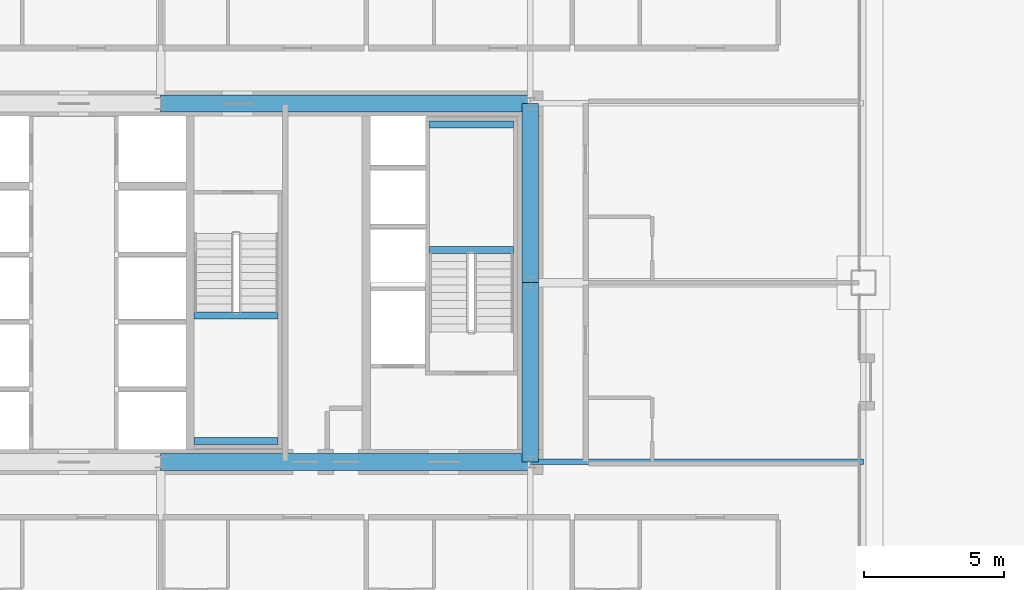
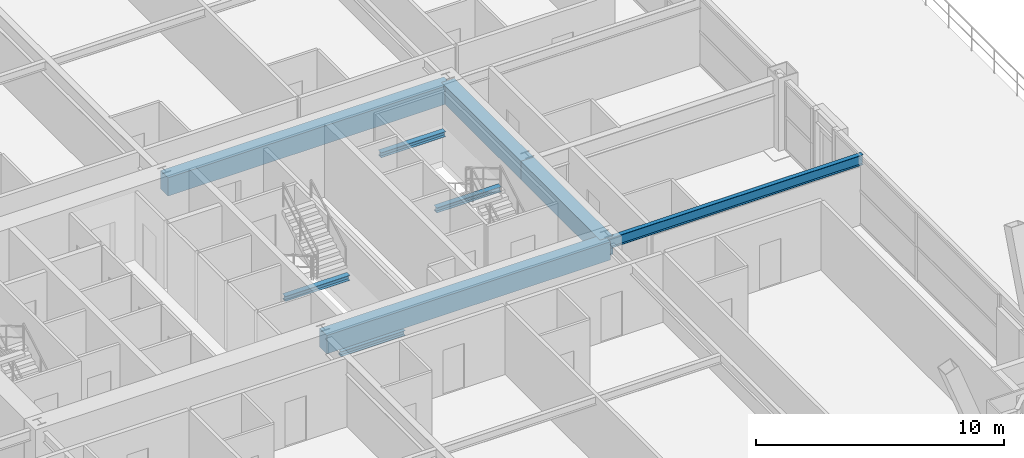
# One storey, part 18 of 45: 9 beams.
"""IFC4 building model written with IfcOpenShell, lengths in metres."""

from ifc_helpers import new_model, si_unit, direction, frame, origin, origin_2d, place, context, subcontext, project, spatial, rectangle, i_section, extrude, source, transform, mapped, material, material_profile, profile_set, type_object, element, save


model = new_model("IFC4")

# Units and contexts
model_context = context("Model", 3, precision=1e-05, world=origin(), true_north=direction((0.0, 1.0)))
body_context = subcontext(model_context, "Body", "Model", "MODEL_VIEW")
ifc_project = project(units=[si_unit("LENGTHUNIT", "METRE"), si_unit("AREAUNIT", "SQUARE_METRE"), si_unit("VOLUMEUNIT", "CUBIC_METRE"), si_unit("PLANEANGLEUNIT", "RADIAN"), si_unit("MASSUNIT", "GRAM", prefix="KILO"), si_unit("THERMODYNAMICTEMPERATUREUNIT", "KELVIN"), si_unit("POWERUNIT", "WATT")], contexts=[model_context])

# Site, building, storey
site_placement = place(None, origin())
site = spatial("IfcSite", under=ifc_project, at=site_placement, CompositionType="ELEMENT")
building_placement = place(site_placement, origin())
building = spatial("IfcBuilding", under=site, at=building_placement, Name="Yuzanri Waterfront Tower", CompositionType="ELEMENT")
storey_placement = place(building_placement, frame((0.0, 0.0, 30.60009765625)))
storey = spatial("IfcBuildingStorey", under=building, at=storey_placement, Name="L07", CompositionType="ELEMENT", Elevation=30.60009765625)

# Beams
ifc_material_1 = material(Name="Concrete C60", Category="concrete")
ifc_material_profile_1 = material_profile(ifc_material_1, rectangle(XDim=0.60009765625, YDim=0.89990234375, at=origin_2d()), Name="RC 600x900")
ifc_profile_set_1 = profile_set([ifc_material_profile_1], Name="Concrete C60")
beam_type_1 = type_object("IfcBeamType", Name="Core Coupling Lintel Concrete C60 600x900", PredefinedType="LINTEL", material=ifc_profile_set_1)
shared_shape_1 = source(origin(), body_context, "Body", "SweptSolid", [
    extrude(rectangle(XDim=0.60009765625, YDim=0.89990234375, at=origin_2d()), origin(), (0.0, 0.0, 1.0), 13.199951171875),
])
for number, where, z_axis, x_axis, name in (
    (1, (37.0, 19.39990234375, 2.929931640625), (1.0, 0.0, 0.0), (0.0, 1.0, 0.0), "L07 Core Tie Beam CS2"),
    (2, (37.0, 32.199951171875, 2.929931640625), (1.0, 0.0, 0.0), (0.0, 1.0, 0.0), "L07 Core Tie Beam CN2"),
):
    element("IfcBeam", number, at=place(storey_placement, frame(where, z_axis=z_axis, x_axis=x_axis)), inside=storey, type_object=beam_type_1, Name=name, PredefinedType="LINTEL", context=body_context, shape_type="MappedRepresentation", body=[
        mapped(shared_shape_1, transform((0.0, 0.0, 0.0), scale=1.0)),
    ])
shared_shape_2 = source(origin(), body_context, "Body", "SweptSolid", [
    extrude(rectangle(XDim=0.60009765625, YDim=0.89990234375, at=origin_2d()), origin(), (0.0, 0.0, 1.0), 6.400146484375),
])
beam_1_placement = place(storey_placement, frame((50.199951171875, 19.39990234375, 2.929931640625), z_axis=(0.0, 1.0, 0.0), x_axis=(-1.0, 0.0, 0.0)))
element("IfcBeam", 3, at=beam_1_placement, inside=storey, type_object=beam_type_1, Name="L07 Core Tie Beam CE1", PredefinedType="LINTEL", context=body_context, shape_type="MappedRepresentation", body=[
    mapped(shared_shape_2, transform((0.0, 0.0, 0.0), scale=1.0)),
])
shared_shape_3 = source(origin(), body_context, "Body", "SweptSolid", [
    extrude(rectangle(XDim=0.60009765625, YDim=0.89990234375, at=origin_2d()), origin(), (0.0, 0.0, 1.0), 6.39990234375),
])
beam_2_placement = place(storey_placement, frame((50.199951171875, 25.800048828125, 2.929931640625), z_axis=(0.0, 1.0, 0.0), x_axis=(-1.0, 0.0, 0.0)))
element("IfcBeam", 4, at=beam_2_placement, inside=storey, type_object=beam_type_1, Name="L07 Core Tie Beam CE2", PredefinedType="LINTEL", context=body_context, shape_type="MappedRepresentation", body=[
    mapped(shared_shape_3, transform((0.0, 0.0, 0.0), scale=1.0)),
])
ifc_material_2 = material(Name="Steel Q355B", Category="steel")
ifc_material_profile_2 = material_profile(ifc_material_2, i_section(OverallWidth=0.199951171875, OverallDepth=0.5, WebThickness=0.010009765625, FlangeThickness=0.01611328125, at=origin_2d()), Name="HN 500x200x10x16")
ifc_profile_set_2 = profile_set([ifc_material_profile_2], Name="Steel Q355B")
beam_type_2 = type_object("IfcBeamType", Name="Secondary Floor Beam Q355B HN 500x200", PredefinedType="BEAM", material=ifc_profile_set_2)
shared_shape_4 = source(origin(), body_context, "Body", "SweptSolid", [
    extrude(i_section(OverallWidth=0.199951171875, OverallDepth=0.5, WebThickness=0.010009765625, FlangeThickness=0.01611328125, at=origin_2d()), origin(), (0.0, 0.0, 1.0), 11.900146484375),
])
beam_3_placement = place(storey_placement, frame((50.199951171875, 19.39990234375, 3.1298828125), z_axis=(1.0, 0.0, 0.0), x_axis=(0.0, 1.0, 0.0)))
element("IfcBeam", 5, at=beam_3_placement, inside=storey, type_object=beam_type_2, Name="L07 East-South Core Line Beam", PredefinedType="BEAM", context=body_context, shape_type="MappedRepresentation", body=[
    mapped(shared_shape_4, transform((0.0, 0.0, 0.0), scale=1.0)),
])
ifc_material_3 = material(Name="Steel Q355B", Category="steel")
ifc_material_profile_3 = material_profile(ifc_material_3, i_section(OverallWidth=0.25, OverallDepth=0.25, WebThickness=0.009033203125, FlangeThickness=0.013916015625, at=origin_2d()), Name="HW 250x250x9x14")
ifc_profile_set_3 = profile_set([ifc_material_profile_3], Name="Steel Q355B")
beam_type_3 = type_object("IfcBeamType", Name="Stair Landing Support Beam Q355B HW 250x250", PredefinedType="BEAM", material=ifc_profile_set_3)
shared_shape_5 = source(origin(), body_context, "Body", "SweptSolid", [
    extrude(i_section(OverallWidth=0.25, OverallDepth=0.25, WebThickness=0.009033203125, FlangeThickness=0.013916015625, at=origin_2d()), origin(), (0.0, 0.0, 1.0), 3.0),
])
for number, where, z_axis, x_axis, name in (
    (6, (46.60009765625, 26.969970703125, 1.474853515625), (1.0, 0.0, 0.0), (0.0, 1.0, 0.0), "L07 Stair Landing Support Beam ST-02-L07-L1-1"),
    (7, (46.60009765625, 31.449951171875, 1.474853515625), (1.0, 0.0, 0.0), (0.0, 1.0, 0.0), "L07 Stair Landing Support Beam ST-02-L07-L1-2"),
    (8, (38.199951171875, 20.14990234375, 1.474853515625), (1.0, 0.0, 0.0), (0.0, 1.0, 0.0), "L07 Stair Landing Support Beam ST-03-L07-L1-1"),
    (9, (38.199951171875, 24.6298828125, 1.474853515625), (1.0, 0.0, 0.0), (0.0, 1.0, 0.0), "L07 Stair Landing Support Beam ST-03-L07-L1-2"),
):
    element("IfcBeam", number, at=place(storey_placement, frame(where, z_axis=z_axis, x_axis=x_axis)), inside=storey, type_object=beam_type_3, Name=name, PredefinedType="BEAM", context=body_context, shape_type="MappedRepresentation", body=[
        mapped(shared_shape_5, transform((0.0, 0.0, 0.0), scale=1.0)),
    ])

save(model, "model.ifc")
